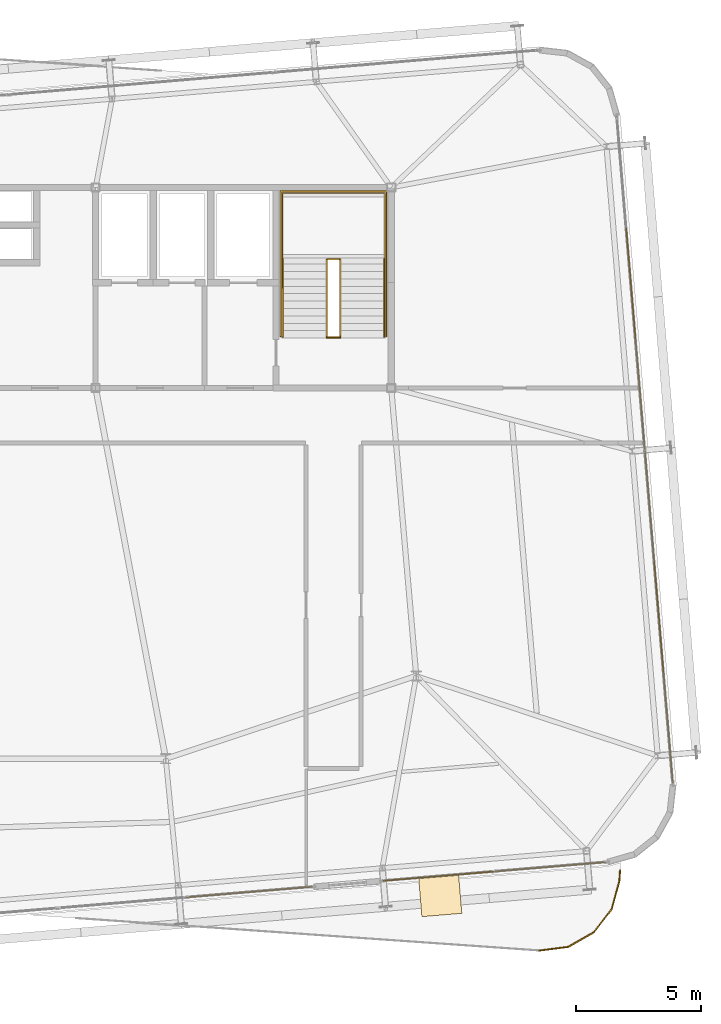
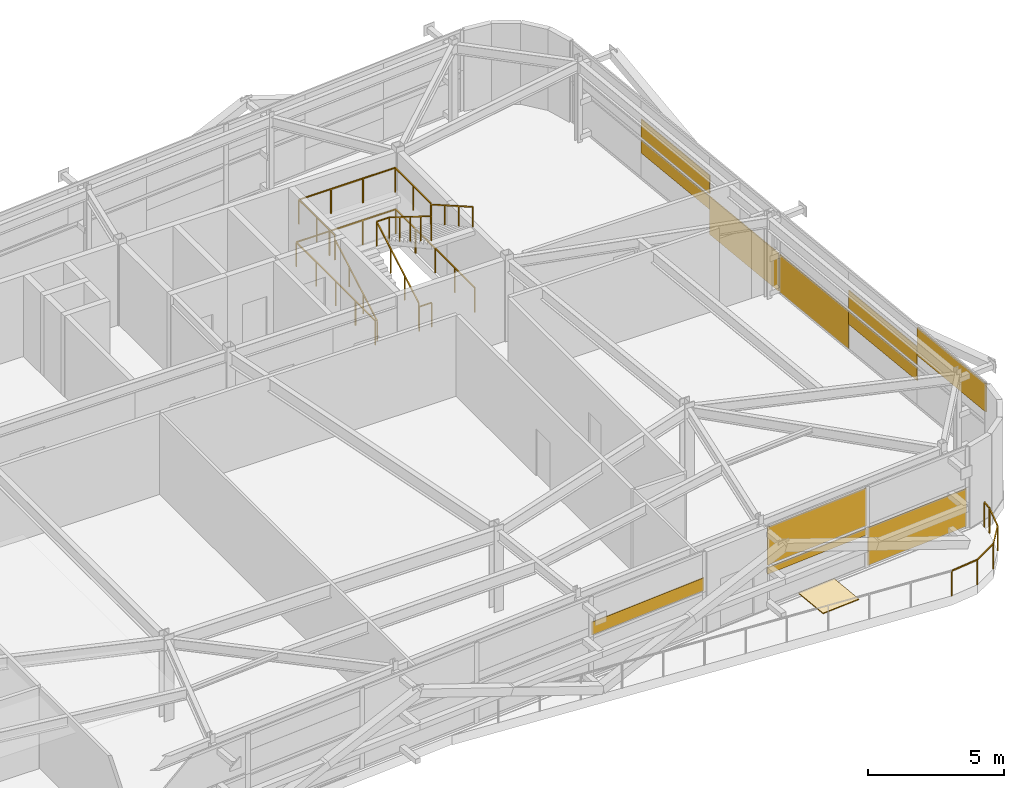
# One storey, part 37 of 38: 12 coverings, 11 railings.
"""IFC4 building model written with IfcOpenShell, lengths in metres."""

import ifcopenshell
import ifcopenshell.guid

model = None  # the IFC model being written
_history = None  # IfcOwnerHistory: only IFC2X3 demands one
_inside = {}  # id of a spatial element -> (the spatial element, [elements in it])
_under = {}  # id of a project, library or spatial element -> (it, [spatial elements below it])
_declared = {}  # id of a project -> (the project, [libraries it declares])
_typed = {}  # id of a type object -> (the type object, [elements of that type])
_made_of = {}  # id of a material, layer set ... -> (it, [elements and type objects made of it])


def new_model(schema):
    """Start an empty IFC model of exactly this schema.

    Asked for "IFC4X3", IfcOpenShell would pick the latest addendum, in which some entities
    have other attributes; the version numbers below select the first issue.
    IFC2X3 requires an IfcOwnerHistory on every rooted entity: one is made here for all.
    """
    global model, _history
    if schema == "IFC4X3":
        model = ifcopenshell.file(schema_version=(4, 3, 0, 0))
    else:
        model = ifcopenshell.file(schema=schema)
    _inside.clear()
    _under.clear()
    _declared.clear()
    _typed.clear()
    _made_of.clear()
    _history = None
    if model.schema == "IFC2X3":
        org = make("IfcOrganization", Name="unknown")
        user = make(
            "IfcPersonAndOrganization",
            ThePerson=make("IfcPerson", FamilyName="unknown"),
            TheOrganization=org,
        )
        app = make(
            "IfcApplication",
            ApplicationDeveloper=org,
            Version="unknown",
            ApplicationFullName="unknown",
            ApplicationIdentifier="unknown",
        )
        _history = make(
            "IfcOwnerHistory",
            OwningUser=user,
            OwningApplication=app,
            ChangeAction="ADDED",
            CreationDate=0,
        )
    return model


def make(cls, **values):
    """One entity of the class cls with the attributes given. An attribute that is None is left unset."""
    return model.create_entity(
        cls, **{name: value for name, value in values.items() if value is not None}
    )


def rooted(cls, **values):
    """An entity with a GlobalId (a new one), such as an element, a storey or a relation."""
    return make(cls, GlobalId=ifcopenshell.guid.new(), OwnerHistory=_history, **values)


def si_unit(unit_type, name, prefix=None):
    """IfcSIUnit, for example si_unit("LENGTHUNIT", "METRE", prefix="MILLI")."""
    return make("IfcSIUnit", UnitType=unit_type, Prefix=prefix, Name=name)


def assignment(units):
    """IfcUnitAssignment: the units of a project."""
    return None if units is None else make("IfcUnitAssignment", Units=units)


def point(xyz):
    """IfcCartesianPoint."""
    return None if xyz is None else make("IfcCartesianPoint", Coordinates=xyz)


def direction(xyz):
    """IfcDirection."""
    return None if xyz is None else make("IfcDirection", DirectionRatios=xyz)


def frame(location, z_axis=None, x_axis=None):
    """IfcAxis2Placement3D, a coordinate frame: its origin and axes. An axis left out is left unset."""
    return make(
        "IfcAxis2Placement3D",
        Location=point(location),
        Axis=direction(z_axis),
        RefDirection=direction(x_axis),
    )


def frame_2d(location, x_axis=None):
    """IfcAxis2Placement2D, a coordinate frame in the plane: its origin and x axis."""
    return make(
        "IfcAxis2Placement2D", Location=point(location), RefDirection=direction(x_axis)
    )


def origin():
    """The frame at (0, 0, 0) with its axes left unset."""
    return frame((0.0, 0.0, 0.0))


def origin_2d():
    """The frame at (0, 0) in the plane with its x axis left unset."""
    return frame_2d((0.0, 0.0))


def place(relative_to, where):
    """IfcLocalPlacement: puts the frame where relative to a parent placement (None: the world)."""
    return make(
        "IfcLocalPlacement", PlacementRelTo=relative_to, RelativePlacement=where
    )


def context(
    kind, dimensions, precision=None, world=None, true_north=None, identifier=None
):
    """IfcGeometricRepresentationContext, for example the 3D "Model" context."""
    return make(
        "IfcGeometricRepresentationContext",
        ContextIdentifier=identifier,
        ContextType=kind,
        CoordinateSpaceDimension=dimensions,
        Precision=precision,
        WorldCoordinateSystem=world,
        TrueNorth=true_north,
    )


def subcontext(parent, identifier, kind, view, scale=None):
    """IfcGeometricRepresentationSubContext, for example "Body" below "Model"."""
    return make(
        "IfcGeometricRepresentationSubContext",
        ContextIdentifier=identifier,
        ContextType=kind,
        ParentContext=parent,
        TargetScale=scale,
        TargetView=view,
    )


def project(units=None, contexts=None):
    """IfcProject with its units and contexts."""
    return rooted(
        "IfcProject",
        Name="project",
        RepresentationContexts=contexts,
        UnitsInContext=assignment(units),
    )


def spatial(cls, under=None, at=None, **own):
    """A site, building, storey or space (cls), placed at a placement, below another one or the project."""
    s = rooted(cls, ObjectPlacement=at, **own)
    if under is not None:
        _under.setdefault(under.id(), (under, []))[1].append(s)
    return s


def profile(cls, at=None, kind="AREA", **sizes):
    """A parametric profile (cls). Its sizes go by their IFC names, for example OverallWidth=200.0."""
    return make(cls, ProfileType=kind, Position=at, **sizes)


def rectangle(**sizes):
    """IfcRectangleProfileDef."""
    return profile("IfcRectangleProfileDef", **sizes)


def extrude(swept, where, along, depth):
    """IfcExtrudedAreaSolid: the profile swept, set in the frame where, extruded along a direction by depth."""
    return make(
        "IfcExtrudedAreaSolid",
        SweptArea=swept,
        Position=where,
        ExtrudedDirection=direction(along),
        Depth=depth,
    )


def shape(context_of_items, identifier, shape_type, items):
    """IfcShapeRepresentation: the items that make up one representation, for example the "Body"."""
    return make(
        "IfcShapeRepresentation",
        ContextOfItems=context_of_items,
        RepresentationIdentifier=identifier,
        RepresentationType=shape_type,
        Items=items,
    )


def source(mapping_origin, context_of_items, identifier, shape_type, items):
    """IfcRepresentationMap: a shape defined once, which mapped items show again and again."""
    return make(
        "IfcRepresentationMap",
        MappingOrigin=mapping_origin,
        MappedRepresentation=shape(context_of_items, identifier, shape_type, items),
    )


def transform(
    local_origin,
    x_axis=None,
    y_axis=None,
    z_axis=None,
    scale=None,
    scale2=None,
    scale3=None,
    uniform=True,
):
    """IfcCartesianTransformationOperator3D, or its non-uniform kind. x_axis, y_axis, z_axis: its Axis1, 2, 3."""
    if uniform:
        return make(
            "IfcCartesianTransformationOperator3D",
            Axis1=direction(x_axis),
            Axis2=direction(y_axis),
            LocalOrigin=point(local_origin),
            Scale=scale,
            Axis3=direction(z_axis),
        )
    return make(
        "IfcCartesianTransformationOperator3DnonUniform",
        Axis1=direction(x_axis),
        Axis2=direction(y_axis),
        LocalOrigin=point(local_origin),
        Scale=scale,
        Axis3=direction(z_axis),
        Scale2=scale2,
        Scale3=scale3,
    )


def mapped(mapping_source, mapping_target):
    """IfcMappedItem: shows the shape of a source again, moved by a transform."""
    return make(
        "IfcMappedItem", MappingSource=mapping_source, MappingTarget=mapping_target
    )


def material(Name=None, Category=None):
    """IfcMaterial."""
    return make("IfcMaterial", Name=Name, Category=Category)


def layer(
    of_material, thickness, ventilated=None, Name=None, Category=None, Priority=None
):
    """IfcMaterialLayer: one layer of a wall or slab, of a material (None: an air gap)."""
    return make(
        "IfcMaterialLayer",
        Material=of_material,
        LayerThickness=thickness,
        IsVentilated=ventilated,
        Name=Name,
        Category=Category,
        Priority=Priority,
    )


def layer_set(layers, Name=None):
    """IfcMaterialLayerSet."""
    return make("IfcMaterialLayerSet", MaterialLayers=layers, LayerSetName=Name)


def made_of(thing, what):
    """Note that an element or type object is made of a material, layer set ...; save() writes the relation."""
    if what is not None:
        _made_of.setdefault(what.id(), (what, []))[1].append(thing)
    return thing


def type_object(cls, material=None, **own):
    """A type object (cls), such as IfcWallType, which elements share."""
    return made_of(rooted(cls, **own), material)


def element(
    cls,
    number,
    at=None,
    inside=None,
    cuts=None,
    type_object=None,
    material=None,
    context=None,
    identifier="Body",
    shape_type=None,
    held_by="IfcProductDefinitionShape",
    body=None,
    shapes=None,
    **own,
):
    """One element of the class cls, such as IfcWall. Its Tag is "e" and its number.

    at: its placement. inside: the storey or other place that contains it. cuts: it is an
    opening in that element (IfcRelVoidsElement). A single representation is given by context,
    identifier, shape_type and body (its items); several are given by shapes. held_by: the class
    of the entity that holds the representations. save() writes the other relations.
    """
    e = rooted(cls, Tag="e%d" % number, ObjectPlacement=at, **own)
    if body is not None:
        shapes = [shape(context, identifier, shape_type, body)]
    if shapes is not None:
        e.Representation = make(held_by, Representations=shapes)
    if inside is not None:
        _inside.setdefault(inside.id(), (inside, []))[1].append(e)
    if cuts is not None:
        rooted(
            "IfcRelVoidsElement", RelatingBuildingElement=cuts, RelatedOpeningElement=e
        )
    if type_object is not None:
        _typed.setdefault(type_object.id(), (type_object, []))[1].append(e)
    return made_of(e, material)


def aggregate(whole, parts):
    """IfcRelAggregates: a whole, such as a stair, and the parts it consists of."""
    return rooted("IfcRelAggregates", RelatingObject=whole, RelatedObjects=parts)


def save(model, path):
    """Write the relations noted so far, then the file.

    IfcRelAggregates (storeys below a building ...), IfcRelContainedInSpatialStructure (elements
    in a storey), IfcRelDefinesByType, IfcRelAssociatesMaterial and IfcRelDeclares: one each for
    every whole, place, type object, material and project.
    """
    for whole, parts in _under.values():
        aggregate(whole, parts)
    for where, things in _inside.values():
        rooted(
            "IfcRelContainedInSpatialStructure",
            RelatedElements=things,
            RelatingStructure=where,
        )
    for kind, things in _typed.values():
        rooted("IfcRelDefinesByType", RelatedObjects=things, RelatingType=kind)
    for what, things in _made_of.values():
        rooted("IfcRelAssociatesMaterial", RelatedObjects=things, RelatingMaterial=what)
    for by, libraries in _declared.values():
        rooted("IfcRelDeclares", RelatingContext=by, RelatedDefinitions=libraries)
    model.write(path)


model = new_model("IFC4")

# Units and contexts
model_context = context("Model", 3, precision=1e-05, world=origin(), true_north=direction((0.0, 1.0)))
body_context = subcontext(model_context, "Body", "Model", "MODEL_VIEW")
ifc_project = project(units=[si_unit("LENGTHUNIT", "METRE"), si_unit("AREAUNIT", "SQUARE_METRE"), si_unit("VOLUMEUNIT", "CUBIC_METRE"), si_unit("PLANEANGLEUNIT", "RADIAN"), si_unit("MASSUNIT", "GRAM", prefix="KILO")], contexts=[model_context])

# Site, building, storey
site_placement = place(None, origin())
site = spatial("IfcSite", under=ifc_project, at=site_placement, CompositionType="ELEMENT")
building_placement = place(site_placement, origin())
building = spatial("IfcBuilding", under=site, at=building_placement, Name="Taldren Reach Tower", CompositionType="ELEMENT")
storey_placement = place(building_placement, frame((0.0, 0.0, 168.699951171875)))
storey = spatial("IfcBuildingStorey", under=building, at=storey_placement, Name="L51", CompositionType="ELEMENT", Elevation=168.699951171875)

# Railings
ifc_material_1 = material(Name="Steel Gr 350 (C350L0)", Category="steel")
ifc_layer_1 = layer(ifc_material_1, 0.050048828125)
ifc_layer_set_1 = layer_set([ifc_layer_1], Name="Steel Gr 350 (C350L0)")
railing_type_1 = type_object("IfcRailingType", Name="RL-STAIR-GR", PredefinedType="GUARDRAIL", material=ifc_layer_set_1)
railing_1_placement = place(storey_placement, frame((46.659912109375, 29.135009765625, 1.925048828125)))
element("IfcRailing", 1, at=railing_1_placement, inside=storey, type_object=railing_type_1, Name="Stair half-landing perimeter guard ST2-L51", PredefinedType="GUARDRAIL", context=body_context, shape_type="SweptSolid", body=[
    extrude(rectangle(XDim=0.047852, YDim=0.047852, at=origin_2d()), frame((0.0, 0.0, 1.09619140625), z_axis=(0.0, 1.0, 0.0), x_axis=(-1.0, 0.0, 0.0)), (0.0, 0.0, 1.0), 2.64501953125),
    extrude(rectangle(XDim=0.047852, YDim=0.047852, at=origin_2d()), frame((0.0, 2.64501953125, 1.09619140625), z_axis=(1.0, 0.0, 0.0), x_axis=(0.0, 1.0, 0.0)), (0.0, 0.0, 1.0), 4.080078125),
    extrude(rectangle(XDim=0.047852, YDim=0.047852, at=origin_2d()), frame((4.080078125, 2.64501953125, 1.09619140625), z_axis=(0.0, -1.0, 0.0), x_axis=(1.0, 0.0, 0.0)), (0.0, 0.0, 1.0), 2.64501953125),
    extrude(rectangle(XDim=0.041992, YDim=0.041992, at=origin_2d()), origin(), (0.0, 0.0, 1.0), 1.072021484375),
    extrude(rectangle(XDim=0.041992, YDim=0.041992, at=origin_2d()), frame((0.0, 1.322509765625, 0.0)), (0.0, 0.0, 1.0), 1.072021484375),
    extrude(rectangle(XDim=0.041992, YDim=0.041992, at=origin_2d()), frame((0.0, 2.64501953125, 0.0)), (0.0, 0.0, 1.0), 1.072021484375),
    extrude(rectangle(XDim=0.041992, YDim=0.041992, at=origin_2d()), frame((1.360107421875, 2.64501953125, 0.0)), (0.0, 0.0, 1.0), 1.072021484375),
    extrude(rectangle(XDim=0.041992, YDim=0.041992, at=origin_2d()), frame((2.719970703125, 2.64501953125, 0.0)), (0.0, 0.0, 1.0), 1.072021484375),
    extrude(rectangle(XDim=0.041992, YDim=0.041992, at=origin_2d()), frame((4.080078125, 2.64501953125, 0.0)), (0.0, 0.0, 1.0), 1.072021484375),
    extrude(rectangle(XDim=0.041992, YDim=0.041992, at=origin_2d()), frame((4.080078125, 1.322509765625, 0.0)), (0.0, 0.0, 1.0), 1.072021484375),
    extrude(rectangle(XDim=0.041992, YDim=0.041992, at=origin_2d()), frame((4.080078125, 0.0, 0.0)), (0.0, 0.0, 1.0), 1.072021484375),
])
railing_2_placement = place(storey_placement, frame((48.429931640625, 26.050048828125, 0.160400390625)))
element("IfcRailing", 2, at=railing_2_placement, inside=storey, type_object=railing_type_1, Name="Stairwell inner guard ST2-L51", PredefinedType="GUARDRAIL", context=body_context, shape_type="SweptSolid", body=[
    extrude(rectangle(XDim=0.047852, YDim=0.047852, at=origin_2d()), frame((0.0, 0.0, 1.09619140625), z_axis=(0.0, 0.868023234622, 0.496523578652), x_axis=(-1.0, 0.0, 0.0)), (0.0, 0.0, 1.0), 3.553955078125),
    extrude(rectangle(XDim=0.047852, YDim=0.047852, at=origin_2d()), frame((0.0, 3.0849609375, 2.86083984375), z_axis=(1.0, 0.0, 0.0), x_axis=(0.0, 1.0, 0.0)), (0.0, 0.0, 1.0), 0.5400390625),
    extrude(rectangle(XDim=0.047852, YDim=0.047852, at=origin_2d()), frame((0.5400390625, 3.0849609375, 2.86083984375), z_axis=(0.0, -0.848375277705, 0.529395304266), x_axis=(1.0, 0.0, 0.0)), (0.0, 0.0, 1.0), 3.63623046875),
    extrude(rectangle(XDim=0.041992, YDim=0.041992, at=origin_2d()), origin(), (0.0, 0.0, 1.0), 1.072021484375),
    extrude(rectangle(XDim=0.041992, YDim=0.041992, at=origin_2d()), frame((0.0, 1.0283203125, 0.588134765625)), (0.0, 0.0, 1.0), 1.072021484375),
    extrude(rectangle(XDim=0.041992, YDim=0.041992, at=origin_2d()), frame((0.0, 2.056640625, 1.176513671875)), (0.0, 0.0, 1.0), 1.072021484375),
    extrude(rectangle(XDim=0.041992, YDim=0.041992, at=origin_2d()), frame((0.0, 3.0849609375, 1.7646484375)), (0.0, 0.0, 1.0), 1.072021484375),
    extrude(rectangle(XDim=0.041992, YDim=0.041992, at=origin_2d()), frame((0.5400390625, 3.0849609375, 1.7646484375)), (0.0, 0.0, 1.0), 1.072021484375),
    extrude(rectangle(XDim=0.041992, YDim=0.041992, at=origin_2d()), frame((0.5400390625, 2.313720703125, 2.245849609375)), (0.0, 0.0, 1.0), 1.072021484375),
    extrude(rectangle(XDim=0.041992, YDim=0.041992, at=origin_2d()), frame((0.5400390625, 1.54248046875, 2.72705078125)), (0.0, 0.0, 1.0), 1.072021484375),
    extrude(rectangle(XDim=0.041992, YDim=0.041992, at=origin_2d()), frame((0.5400390625, 0.771240234375, 3.20849609375)), (0.0, 0.0, 1.0), 1.072021484375),
    extrude(rectangle(XDim=0.041992, YDim=0.041992, at=origin_2d()), frame((0.5400390625, 0.0, 3.689697265625)), (0.0, 0.0, 1.0), 1.072021484375),
])
railing_3_placement = place(storey_placement, frame((48.429931640625, 26.010009765625, 0.0)))
element("IfcRailing", 3, at=railing_3_placement, inside=storey, type_object=railing_type_1, Name="Stairwell landing slot guard ST2-L51", PredefinedType="GUARDRAIL", context=body_context, shape_type="SweptSolid", body=[
    extrude(rectangle(XDim=0.047852, YDim=0.047852, at=origin_2d()), frame((0.0, 0.0, 1.09619140625), z_axis=(1.0, 0.0, 0.0), x_axis=(0.0, 1.0, 0.0)), (0.0, 0.0, 1.0), 0.5400390625),
    extrude(rectangle(XDim=0.041992, YDim=0.041992, at=origin_2d()), origin(), (0.0, 0.0, 1.0), 1.072021484375),
    extrude(rectangle(XDim=0.041992, YDim=0.041992, at=origin_2d()), frame((0.5400390625, 0.0, 0.0)), (0.0, 0.0, 1.0), 1.072021484375),
])
railing_4_placement = place(storey_placement, frame((46.590087890625, 26.050048828125, 0.0)))
element("IfcRailing", 4, at=railing_4_placement, inside=storey, type_object=railing_type_1, Name="Stairwell floor opening guard ST2-L51", PredefinedType="GUARDRAIL", context=body_context, shape_type="SweptSolid", body=[
    extrude(rectangle(XDim=0.047852, YDim=0.047852, at=origin_2d()), frame((0.0, 0.0, 1.09619140625), z_axis=(0.0, 1.0, 0.0), x_axis=(-1.0, 0.0, 0.0)), (0.0, 0.0, 1.0), 5.800048828125),
    extrude(rectangle(XDim=0.047852, YDim=0.047852, at=origin_2d()), frame((0.0, 5.800048828125, 1.09619140625), z_axis=(1.0, 0.0, 0.0), x_axis=(0.0, 1.0, 0.0)), (0.0, 0.0, 1.0), 4.219970703125),
    extrude(rectangle(XDim=0.047852, YDim=0.047852, at=origin_2d()), frame((4.219970703125, 5.800048828125, 1.09619140625), z_axis=(0.0, -1.0, 0.0), x_axis=(1.0, 0.0, 0.0)), (0.0, 0.0, 1.0), 5.800048828125),
    extrude(rectangle(XDim=0.041992, YDim=0.041992, at=origin_2d()), origin(), (0.0, 0.0, 1.0), 1.072021484375),
    extrude(rectangle(XDim=0.041992, YDim=0.041992, at=origin_2d()), frame((0.0, 1.449951171875, 0.0)), (0.0, 0.0, 1.0), 1.072021484375),
    extrude(rectangle(XDim=0.041992, YDim=0.041992, at=origin_2d()), frame((0.0, 2.89990234375, 0.0)), (0.0, 0.0, 1.0), 1.072021484375),
    extrude(rectangle(XDim=0.041992, YDim=0.041992, at=origin_2d()), frame((0.0, 4.35009765625, 0.0)), (0.0, 0.0, 1.0), 1.072021484375),
    extrude(rectangle(XDim=0.041992, YDim=0.041992, at=origin_2d()), frame((0.0, 5.800048828125, 0.0)), (0.0, 0.0, 1.0), 1.072021484375),
    extrude(rectangle(XDim=0.041992, YDim=0.041992, at=origin_2d()), frame((1.40673828125, 5.800048828125, 0.0)), (0.0, 0.0, 1.0), 1.072021484375),
    extrude(rectangle(XDim=0.041992, YDim=0.041992, at=origin_2d()), frame((2.813232421875, 5.800048828125, 0.0)), (0.0, 0.0, 1.0), 1.072021484375),
    extrude(rectangle(XDim=0.041992, YDim=0.041992, at=origin_2d()), frame((4.219970703125, 5.800048828125, 0.0)), (0.0, 0.0, 1.0), 1.072021484375),
    extrude(rectangle(XDim=0.041992, YDim=0.041992, at=origin_2d()), frame((4.219970703125, 4.35009765625, 0.0)), (0.0, 0.0, 1.0), 1.072021484375),
    extrude(rectangle(XDim=0.041992, YDim=0.041992, at=origin_2d()), frame((4.219970703125, 2.89990234375, 0.0)), (0.0, 0.0, 1.0), 1.072021484375),
    extrude(rectangle(XDim=0.041992, YDim=0.041992, at=origin_2d()), frame((4.219970703125, 1.449951171875, 0.0)), (0.0, 0.0, 1.0), 1.072021484375),
    extrude(rectangle(XDim=0.041992, YDim=0.041992, at=origin_2d()), frame((4.219970703125, 0.0, 0.0)), (0.0, 0.0, 1.0), 1.072021484375),
])
ifc_material_2 = material(Name="Stainless Steel Gr 316", Category="steel")
ifc_layer_2 = layer(ifc_material_2, 0.048095703125)
ifc_layer_set_2 = layer_set([ifc_layer_2], Name="Stainless Steel Gr 316")
railing_type_2 = type_object("IfcRailingType", Name="RL-STAIR-HR", PredefinedType="HANDRAIL", material=ifc_layer_set_2)
railing_5_placement = place(storey_placement, frame((46.669921875, 26.050048828125, 0.160400390625)))
element("IfcRailing", 5, at=railing_5_placement, inside=storey, type_object=railing_type_2, Name="Stair flight handrail ST2-L51-1", PredefinedType="HANDRAIL", context=body_context, shape_type="SweptSolid", body=[
    extrude(rectangle(XDim=0.047852, YDim=0.047852, at=origin_2d()), frame((0.0, 0.0, 0.89599609375), z_axis=(0.0, 0.868023234622, 0.496523578652), x_axis=(-1.0, 0.0, 0.0)), (0.0, 0.0, 1.0), 3.553955078125),
    extrude(rectangle(XDim=0.041992, YDim=0.041992, at=origin_2d()), origin(), (0.0, 0.0, 1.0), 0.871826171875),
    extrude(rectangle(XDim=0.041992, YDim=0.041992, at=origin_2d()), frame((0.0, 1.0283203125, 0.588134765625)), (0.0, 0.0, 1.0), 0.871826171875),
    extrude(rectangle(XDim=0.041992, YDim=0.041992, at=origin_2d()), frame((0.0, 2.056640625, 1.176513671875)), (0.0, 0.0, 1.0), 0.871826171875),
    extrude(rectangle(XDim=0.041992, YDim=0.041992, at=origin_2d()), frame((0.0, 3.0849609375, 1.7646484375)), (0.0, 0.0, 1.0), 0.871826171875),
])
railing_6_placement = place(storey_placement, frame((50.72998046875, 29.135009765625, 2.08544921875)))
element("IfcRailing", 6, at=railing_6_placement, inside=storey, type_object=railing_type_2, Name="Stair flight handrail ST2-L51-2", PredefinedType="HANDRAIL", context=body_context, shape_type="SweptSolid", body=[
    extrude(rectangle(XDim=0.047852, YDim=0.047852, at=origin_2d()), frame((0.0, 0.0, 0.89599609375), z_axis=(0.0, -0.868023234622, 0.496523578652), x_axis=(1.0, 0.0, 0.0)), (0.0, 0.0, 1.0), 3.553955078125),
    extrude(rectangle(XDim=0.041992, YDim=0.041992, at=origin_2d()), origin(), (0.0, 0.0, 1.0), 0.871826171875),
    extrude(rectangle(XDim=0.041992, YDim=0.041992, at=origin_2d()), frame((0.0, -1.0283203125, 0.588134765625)), (0.0, 0.0, 1.0), 0.871826171875),
    extrude(rectangle(XDim=0.041992, YDim=0.041992, at=origin_2d()), frame((0.0, -2.056640625, 1.176513671875)), (0.0, 0.0, 1.0), 0.871826171875),
    extrude(rectangle(XDim=0.041992, YDim=0.041992, at=origin_2d()), frame((0.0, -3.0849609375, 1.7646484375)), (0.0, 0.0, 1.0), 0.871826171875),
])
ifc_material_3 = material(Name="Laminated Glass and Pale-Anodised Aluminium Balustrade", Category="aluminium")
ifc_layer_3 = layer(ifc_material_3, 0.070068359375)
ifc_layer_set_3 = layer_set([ifc_layer_3], Name="Laminated Glass and Pale-Anodised Aluminium Balustrade")
railing_type_3 = type_object("IfcRailingType", Name="RL-TERR-1150", PredefinedType="GUARDRAIL", material=ifc_layer_set_3)
railing_7_placement = place(storey_placement, frame((59.80224609375, 3.191162109375, 0.0)))
element("IfcRailing", 7, at=railing_7_placement, inside=storey, type_object=railing_type_3, Name="Outdoor terrace guardrail TERR-L51-2-01", PredefinedType="GUARDRAIL", context=body_context, shape_type="SweptSolid", body=[
    extrude(rectangle(XDim=0.047852, YDim=0.047852, at=origin_2d()), frame((0.0, 0.0, 1.1259765625), z_axis=(-0.612177399833, -0.790720450687, 0.0), x_axis=(0.790720450687, -0.612177399833, 0.0)), (0.0, 0.0, 1.0), 1.17041015625),
    extrude(rectangle(XDim=0.041992, YDim=0.041992, at=origin_2d()), origin(), (0.0, 0.0, 1.0), 1.101806640625),
    extrude(rectangle(XDim=0.041992, YDim=0.041992, at=origin_2d()), frame((-0.716552734375, -0.925537109375, 0.0)), (0.0, 0.0, 1.0), 1.101806640625),
])
railing_8_placement = place(storey_placement, frame((59.085693359375, 2.265625, 0.0)))
element("IfcRailing", 8, at=railing_8_placement, inside=storey, type_object=railing_type_3, Name="Outdoor terrace guardrail TERR-L51-2-02", PredefinedType="GUARDRAIL", context=body_context, shape_type="SweptSolid", body=[
    extrude(rectangle(XDim=0.047852, YDim=0.047852, at=origin_2d()), frame((0.0, 0.0, 1.1259765625), z_axis=(-0.868230307446, -0.49616139837, 0.0), x_axis=(0.49616139837, -0.868230307446, 0.0)), (0.0, 0.0, 1.0), 1.170654296875),
    extrude(rectangle(XDim=0.041992, YDim=0.041992, at=origin_2d()), origin(), (0.0, 0.0, 1.0), 1.101806640625),
    extrude(rectangle(XDim=0.041992, YDim=0.041992, at=origin_2d()), frame((-1.016357421875, -0.580810546875, 0.0)), (0.0, 0.0, 1.0), 1.101806640625),
])
railing_9_placement = place(storey_placement, frame((58.0693359375, 1.684814453125, 0.0)))
element("IfcRailing", 9, at=railing_9_placement, inside=storey, type_object=railing_type_3, Name="Outdoor terrace guardrail TERR-L51-2-03", PredefinedType="GUARDRAIL", context=body_context, shape_type="SweptSolid", body=[
    extrude(rectangle(XDim=0.047852, YDim=0.047852, at=origin_2d()), frame((0.0, 0.0, 1.1259765625), z_axis=(-0.992005984193, -0.12619083693, 0.0), x_axis=(0.12619083693, -0.992005984193, 0.0)), (0.0, 0.0, 1.0), 1.17041015625),
    extrude(rectangle(XDim=0.041992, YDim=0.041992, at=origin_2d()), origin(), (0.0, 0.0, 1.0), 1.101806640625),
    extrude(rectangle(XDim=0.041992, YDim=0.041992, at=origin_2d()), frame((-1.1611328125, -0.147705078125, 0.0)), (0.0, 0.0, 1.0), 1.101806640625),
])
railing_10_placement = place(storey_placement, frame((60.1396484375, 4.744140625, 0.0)))
element("IfcRailing", 10, at=railing_10_placement, inside=storey, type_object=railing_type_3, Name="Outdoor terrace guardrail TERR-L51-2-05", PredefinedType="GUARDRAIL", context=body_context, shape_type="SweptSolid", body=[
    extrude(rectangle(XDim=0.047852, YDim=0.047852, at=origin_2d()), frame((0.0, 0.0, 1.1259765625), z_axis=(-0.06953176744, -0.997579737824, 0.0), x_axis=(0.997579737824, -0.06953176744, 0.0)), (0.0, 0.0, 1.0), 0.4248046875),
    extrude(rectangle(XDim=0.041992, YDim=0.041992, at=origin_2d()), origin(), (0.0, 0.0, 1.0), 1.101806640625),
    extrude(rectangle(XDim=0.041992, YDim=0.041992, at=origin_2d()), frame((-0.029541015625, -0.423828125, 0.0)), (0.0, 0.0, 1.0), 1.101806640625),
])
railing_11_placement = place(storey_placement, frame((60.110107421875, 4.3203125, 0.0)))
element("IfcRailing", 11, at=railing_11_placement, inside=storey, type_object=railing_type_3, Name="Outdoor terrace guardrail TERR-L51-2-06", PredefinedType="GUARDRAIL", context=body_context, shape_type="SweptSolid", body=[
    extrude(rectangle(XDim=0.047852, YDim=0.047852, at=origin_2d()), frame((0.0, 0.0, 1.1259765625), z_axis=(-0.26304680142, -0.9647830742, 0.0), x_axis=(0.9647830742, -0.26304680142, 0.0)), (0.0, 0.0, 1.0), 1.17041015625),
    extrude(rectangle(XDim=0.041992, YDim=0.041992, at=origin_2d()), origin(), (0.0, 0.0, 1.0), 1.101806640625),
    extrude(rectangle(XDim=0.041992, YDim=0.041992, at=origin_2d()), frame((-0.307861328125, -1.129150390625, 0.0)), (0.0, 0.0, 1.0), 1.101806640625),
])

# Coverings
ifc_material_4 = material(Name="SBS Modified Bitumen Waterproofing and Ballast Membrane")
ifc_layer_4 = layer(ifc_material_4, 0.080078125)
ifc_layer_set_4 = layer_set([ifc_layer_4], Name="SBS Modified Bitumen Waterproofing and Ballast Membrane")
covering_type_1 = type_object("IfcCoveringType", Name="CV-ROOF-080", PredefinedType="ROOFING", material=ifc_layer_set_4)
shared_shape_1 = source(origin(), body_context, "Body", "SweptSolid", [
    extrude(rectangle(XDim=1.60009765625, YDim=1.60009765625, at=origin_2d()), origin(), (0.0, 0.0, 1.0), 0.0400390625),
])
covering_1_placement = place(storey_placement, frame((52.955810546875, 3.755859375, 0.0), z_axis=(0.0, 0.0, 1.0), x_axis=(0.99649285925, 0.083677843332, 0.0)))
element("IfcCovering", 12, at=covering_1_placement, inside=storey, type_object=covering_type_1, Name="Terrace waterproofing layer L51-2", PredefinedType="ROOFING", context=body_context, shape_type="MappedRepresentation", body=[
    mapped(shared_shape_1, transform((0.0, 0.0, 0.0), scale=1.0)),
])
ifc_material_5 = material(Name="Pale Champagne Fluoropolymer Aluminium Spandrel Cladding", Category="aluminium")
ifc_layer_5 = layer(ifc_material_5, 0.0439453125)
ifc_layer_set_5 = layer_set([ifc_layer_5], Name="Pale Champagne Fluoropolymer Aluminium Spandrel Cladding")
covering_type_2 = type_object("IfcCoveringType", Name="CV-CLAD-044", PredefinedType="CLADDING", material=ifc_layer_set_5)
shared_shape_2 = source(origin(), body_context, "Body", "SweptSolid", [
    extrude(rectangle(XDim=5.010498046875, YDim=0.0439453125, at=origin_2d()), origin(), (0.0, 0.0, 1.0), 0.579345703125),
])
covering_2_placement = place(storey_placement, frame((45.34375, 3.875, 1.875), z_axis=(0.0, 0.0, 1.0), x_axis=(0.996492853205, 0.083677915318, 0.0)))
element("IfcCovering", 13, at=covering_2_placement, inside=storey, type_object=covering_type_2, Name="Diagrid closure cladding strip CW-7 panel 6.1 1", PredefinedType="CLADDING", context=body_context, shape_type="MappedRepresentation", body=[
    mapped(shared_shape_2, transform((0.0, 0.0, 0.0), scale=1.0)),
])
shared_shape_3 = source(origin(), body_context, "Body", "SweptSolid", [
    extrude(rectangle(XDim=4.418701171875, YDim=0.0439453125, at=origin_2d()), origin(), (0.0, 0.0, 1.0), 0.290771484375),
])
covering_3_placement = place(storey_placement, frame((52.8818359375, 4.508056640625, 1.46435546875), z_axis=(0.0, 0.0, 1.0), x_axis=(0.996492858388, 0.083677853594, 0.0)))
element("IfcCovering", 14, at=covering_3_placement, inside=storey, type_object=covering_type_2, Name="Diagrid closure cladding strip CW-7 panel 1.1 1", PredefinedType="CLADDING", context=body_context, shape_type="MappedRepresentation", body=[
    mapped(shared_shape_3, transform((0.0, 0.0, 0.0), scale=1.0)),
])
shared_shape_4 = source(origin(), body_context, "Body", "SweptSolid", [
    extrude(rectangle(XDim=4.418701171875, YDim=0.0439453125, at=origin_2d()), origin(), (0.0, 0.0, 1.0), 1.695068359375),
])
for number, where, z_axis, x_axis, name in (
    (15, (57.359619140625, 4.884033203125, 0.06005859375), (0.0, 0.0, 1.0), (0.996492858388, 0.083677853594, 0.0), "Diagrid closure cladding strip CW-7 panel 2.1 1"),
    (16, (52.8818359375, 4.508056640625, 1.875), (0.0, 0.0, 1.0), (0.996492858388, 0.083677853594, 0.0), "Diagrid closure cladding strip CW-7 panel 1.1 1"),
):
    element("IfcCovering", number, at=place(storey_placement, frame(where, z_axis=z_axis, x_axis=x_axis)), inside=storey, type_object=covering_type_2, Name=name, PredefinedType="CLADDING", context=body_context, shape_type="MappedRepresentation", body=[
        mapped(shared_shape_4, transform((0.0, 0.0, 0.0), scale=1.0)),
    ])
shared_shape_5 = source(origin(), body_context, "Body", "SweptSolid", [
    extrude(rectangle(XDim=4.42919921875, YDim=0.0439453125, at=origin_2d()), origin(), (0.0, 0.0, 1.0), 0.579833984375),
])
for number, where, z_axis, x_axis, name in (
    (17, (61.6845703125, 14.859619140625, 1.17529296875), (0.0, 0.0, 1.0), (-0.083677979808, 0.996492847789, 0.0), "Diagrid closure cladding strip CW-7 panel 1.1 1"),
    (18, (60.56640625, 28.17529296875, 1.17529296875), (0.0, 0.0, 1.0), (-0.083677979808, 0.996492847789, 0.0), "Diagrid closure cladding strip CW-7 panel 2.1 2"),
):
    element("IfcCovering", number, at=place(storey_placement, frame(where, z_axis=z_axis, x_axis=x_axis)), inside=storey, type_object=covering_type_2, Name=name, PredefinedType="CLADDING", context=body_context, shape_type="MappedRepresentation", body=[
        mapped(shared_shape_5, transform((0.0, 0.0, 0.0), scale=1.0)),
    ])
shared_shape_6 = source(origin(), body_context, "Body", "SweptSolid", [
    extrude(rectangle(XDim=4.42919921875, YDim=0.0439453125, at=origin_2d()), origin(), (0.0, 0.0, 1.0), 1.695068359375),
])
for number, where, z_axis, x_axis, name in (
    (19, (61.31396484375, 19.273193359375, 0.06005859375), (0.0, 0.0, 1.0), (-0.083677979808, 0.996492847789, 0.0), "Diagrid closure cladding strip CW-7 panel 1.1 2"),
    (20, (60.93701171875, 23.76171875, 0.06005859375), (0.0, 0.0, 1.0), (-0.083677979808, 0.996492847789, 0.0), "Diagrid closure cladding strip CW-7 panel 2.1 1"),
):
    element("IfcCovering", number, at=place(storey_placement, frame(where, z_axis=z_axis, x_axis=x_axis)), inside=storey, type_object=covering_type_2, Name=name, PredefinedType="CLADDING", context=body_context, shape_type="MappedRepresentation", body=[
        mapped(shared_shape_6, transform((0.0, 0.0, 0.0), scale=1.0)),
    ])
shared_shape_7 = source(origin(), body_context, "Body", "SweptSolid", [
    extrude(rectangle(XDim=4.42919921875, YDim=0.0439453125, at=origin_2d()), origin(), (0.0, 0.0, 1.0), 1.258544921875),
])
covering_4_placement = place(storey_placement, frame((62.05517578125, 10.446044921875, 2.3115234375), z_axis=(0.0, 0.0, 1.0), x_axis=(-0.083677979808, 0.996492847789, 0.0)))
element("IfcCovering", 21, at=covering_4_placement, inside=storey, type_object=covering_type_2, Name="Diagrid closure cladding strip CW-7 panel 1.1 1", PredefinedType="CLADDING", context=body_context, shape_type="MappedRepresentation", body=[
    mapped(shared_shape_7, transform((0.0, 0.0, 0.0), scale=1.0)),
])
shared_shape_8 = source(origin(), body_context, "Body", "SweptSolid", [
    extrude(rectangle(XDim=4.42919921875, YDim=0.0439453125, at=origin_2d()), origin(), (0.0, 0.0, 1.0), 0.818115234375),
])
for number, where, z_axis, x_axis, name in (
    (22, (61.6845703125, 14.859619140625, 1.875), (0.0, 0.0, 1.0), (-0.083677979808, 0.996492847789, 0.0), "Diagrid closure cladding strip CW-7 panel 1.1 2"),
    (23, (60.56640625, 28.17529296875, 1.875), (0.0, 0.0, 1.0), (-0.083677979808, 0.996492847789, 0.0), "Diagrid closure cladding strip CW-7 panel 2.1 1"),
):
    element("IfcCovering", number, at=place(storey_placement, frame(where, z_axis=z_axis, x_axis=x_axis)), inside=storey, type_object=covering_type_2, Name=name, PredefinedType="CLADDING", context=body_context, shape_type="MappedRepresentation", body=[
        mapped(shared_shape_8, transform((0.0, 0.0, 0.0), scale=1.0)),
    ])

save(model, "model.ifc")
